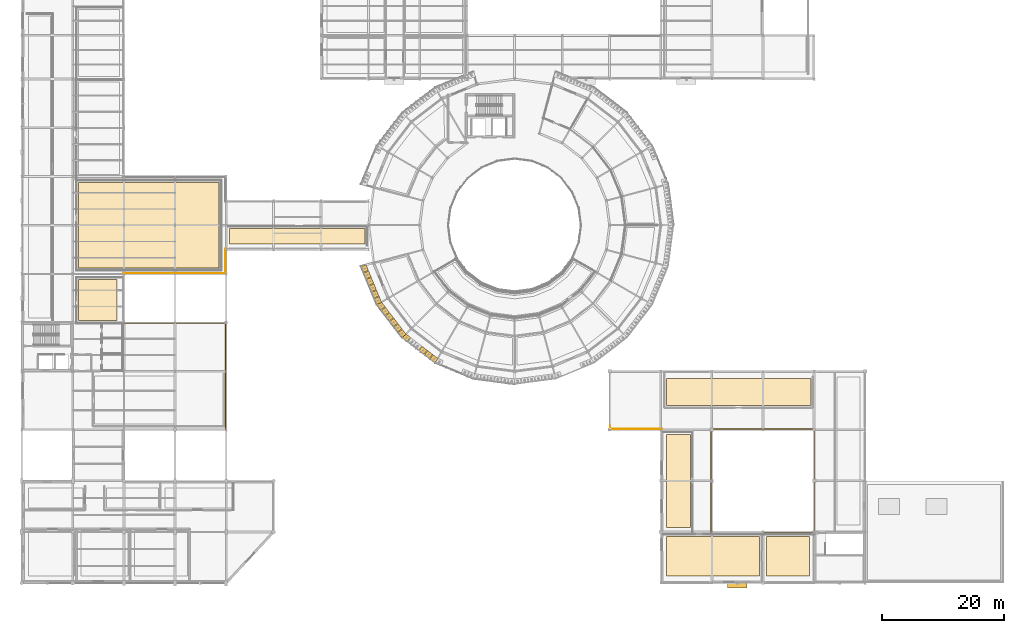
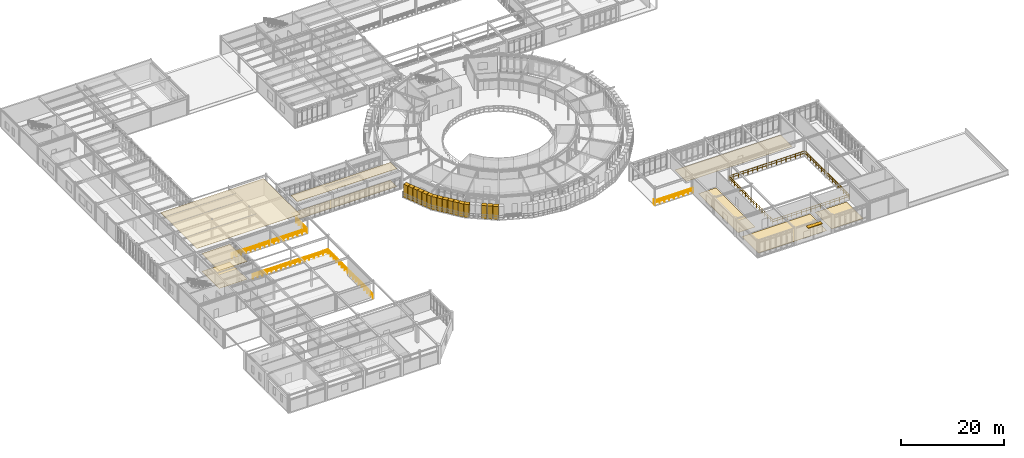
# One storey, part 97 of 106: 17 shading devices, 9 coverings, 5 railings.
"""IFC4 building model written with IfcOpenShell, lengths in metres."""

from ifc_helpers import new_model, si_unit, derived_unit, direction, frame, origin, origin_2d, place, context, subcontext, project, spatial, polyline, rectangle, circle, outline, extrude, material, layer, layer_set, type_object, element, save


model = new_model("IFC4")

# Units and contexts
model_context = context("Model", 3, precision=1e-05, world=origin(), true_north=direction((0.0, 1.0)))
body_context = subcontext(model_context, "Body", "Model", "MODEL_VIEW")
ifc_project = project(units=[si_unit("LENGTHUNIT", "METRE"), si_unit("AREAUNIT", "SQUARE_METRE"), si_unit("VOLUMEUNIT", "CUBIC_METRE"), si_unit("PLANEANGLEUNIT", "RADIAN"), si_unit("MASSUNIT", "GRAM", prefix="KILO"), derived_unit("THERMALTRANSMITTANCEUNIT", [(si_unit("POWERUNIT", "WATT"), 1), (si_unit("AREAUNIT", "SQUARE_METRE"), -1), (si_unit("THERMODYNAMICTEMPERATUREUNIT", "KELVIN"), -1)])], contexts=[model_context])

# Site, building, storey
site_placement = place(None, origin())
site = spatial("IfcSite", under=ifc_project, at=site_placement, CompositionType="ELEMENT")
building_placement = place(site_placement, origin())
building = spatial("IfcBuilding", under=site, at=building_placement, Name="Yasenodar Specialist Clinic", CompositionType="ELEMENT")
storey_placement = place(building_placement, frame((0.0, 0.0, 4.5)))
storey = spatial("IfcBuildingStorey", under=building, at=storey_placement, Name="L01", CompositionType="ELEMENT", Elevation=4.5)

# Coverings
ifc_material_1 = material(Name="Hygienic Acoustic Mineral-Fibre Ceiling")
ifc_layer_1 = layer(ifc_material_1, 0.02490234375)
ifc_layer_set_1 = layer_set([ifc_layer_1], Name="Hygienic Acoustic Mineral-Fibre Ceiling")
covering_type_1 = type_object("IfcCoveringType", Name="COV-CEIL-AC", PredefinedType="CEILING", material=ifc_layer_set_1)
covering_1_placement = place(storey_placement, frame((0.0, 0.0, 4.22509765625)))
element("IfcCovering", 1, at=covering_1_placement, inside=storey, type_object=covering_type_1, Name="L01 ECG Functional Diagnostics Room Acoustic Ceiling", PredefinedType="CEILING", context=body_context, shape_type="SweptSolid", body=[
    extrude(outline(polyline([(15.64990234375, 49.85009765625), (15.64990234375, 43.1298828125), (9.35009765625, 43.1298828125), (9.35009765625, 49.85009765625), (15.64990234375, 49.85009765625)])), origin(), (0.0, 0.0, 1.0), 0.02490234375),
])
covering_2_placement = place(storey_placement, frame((0.0, 0.0, 4.22509765625)))
element("IfcCovering", 2, at=covering_2_placement, inside=storey, type_object=covering_type_1, Name="L01 Light Bridge Waiting Lounge Acoustic Ceiling", PredefinedType="CEILING", context=body_context, shape_type="SweptSolid", body=[
    extrude(outline(polyline([(32.449951171875, 51.75), (9.35009765625, 51.75), (9.35009765625, 65.85009765625), (32.449951171875, 65.85009765625), (32.449951171875, 51.75)])), origin(), (0.0, 0.0, 1.0), 0.02490234375),
])
covering_3_placement = place(storey_placement, frame((0.0, 0.0, 4.22509765625)))
element("IfcCovering", 3, at=covering_3_placement, inside=storey, type_object=covering_type_1, Name="L01 Light Bridge Concourse Gallery Acoustic Ceiling", PredefinedType="CEILING", context=body_context, shape_type="SweptSolid", body=[
    extrude(outline(polyline([(56.449951171875, 55.75), (34.14990234375, 55.75), (34.14990234375, 58.25), (56.449951171875, 58.25), (56.449951171875, 55.75)])), origin(), (0.0, 0.0, 1.0), 0.02490234375),
])
ifc_material_2 = material(Name="Seamless Epoxy Terrazzo Clinical Flooring")
ifc_layer_2 = layer(ifc_material_2, 0.02001953125)
ifc_layer_set_2 = layer_set([ifc_layer_2], Name="Seamless Epoxy Terrazzo Clinical Flooring")
covering_type_2 = type_object("IfcCoveringType", Name="COV-FLR-TERR", PredefinedType="FLOORING", material=ifc_layer_set_2)
covering_4_placement = place(storey_placement, origin())
element("IfcCovering", 4, at=covering_4_placement, inside=storey, type_object=covering_type_2, Name="L01 Occupational Therapy Activities Suite Terrazzo Flooring", PredefinedType="FLOORING", context=body_context, shape_type="SweptSolid", body=[
    extrude(outline(polyline([(121.25, 1.14990234375), (105.949951171875, 1.14990234375), (105.949951171875, 7.64990234375), (121.25, 7.64990234375), (121.25, 1.14990234375)])), origin(), (0.0, 0.0, 1.0), 0.02001953125),
])
covering_5_placement = place(storey_placement, origin())
element("IfcCovering", 5, at=covering_5_placement, inside=storey, type_object=covering_type_2, Name="L01 Instrumented Gait and Motion Laboratory Terrazzo Flooring", PredefinedType="FLOORING", context=body_context, shape_type="SweptSolid", body=[
    extrude(outline(polyline([(129.449951171875, 1.14990234375), (122.35009765625, 1.14990234375), (122.35009765625, 7.64990234375), (129.449951171875, 7.64990234375), (129.449951171875, 1.14990234375)])), origin(), (0.0, 0.0, 1.0), 0.02001953125),
])
covering_6_placement = place(storey_placement, origin())
element("IfcCovering", 6, at=covering_6_placement, inside=storey, type_object=covering_type_2, Name="L01 Neurological Rehabilitation Studio Terrazzo Flooring", PredefinedType="FLOORING", context=body_context, shape_type="SweptSolid", body=[
    extrude(outline(polyline([(109.85009765625, 9.14990234375), (105.949951171875, 9.14990234375), (105.949951171875, 24.449951171875), (109.85009765625, 24.449951171875), (109.85009765625, 9.14990234375)])), origin(), (0.0, 0.0, 1.0), 0.02001953125),
])
covering_7_placement = place(storey_placement, origin())
element("IfcCovering", 7, at=covering_7_placement, inside=storey, type_object=covering_type_2, Name="L01 Speech and Swallowing Therapy Rooms Terrazzo Flooring", PredefinedType="FLOORING", context=body_context, shape_type="SweptSolid", body=[
    extrude(outline(polyline([(129.64990234375, 29.14990234375), (105.949951171875, 29.14990234375), (105.949951171875, 33.64990234375), (129.64990234375, 33.64990234375), (129.64990234375, 29.14990234375)])), origin(), (0.0, 0.0, 1.0), 0.02001953125),
])
covering_8_placement = place(storey_placement, origin())
element("IfcCovering", 8, at=covering_8_placement, inside=storey, type_object=covering_type_2, Name="L01 ECG Functional Diagnostics Room Terrazzo Flooring", PredefinedType="FLOORING", context=body_context, shape_type="SweptSolid", body=[
    extrude(outline(polyline([(15.64990234375, 49.85009765625), (15.64990234375, 43.1298828125), (9.35009765625, 43.1298828125), (9.35009765625, 49.85009765625), (15.64990234375, 49.85009765625)])), origin(), (0.0, 0.0, 1.0), 0.02001953125),
])
covering_9_placement = place(storey_placement, origin())
element("IfcCovering", 9, at=covering_9_placement, inside=storey, type_object=covering_type_2, Name="L01 Light Bridge Concourse Gallery Terrazzo Flooring", PredefinedType="FLOORING", context=body_context, shape_type="SweptSolid", body=[
    extrude(outline(polyline([(56.449951171875, 55.75), (34.14990234375, 55.75), (34.14990234375, 58.25), (56.449951171875, 58.25), (56.449951171875, 55.75)])), origin(), (0.0, 0.0, 1.0), 0.02001953125),
])

# Railings
ifc_material_3 = material(Name="Steel S355 Painted Guardrail", Category="steel")
railing_type_1 = type_object("IfcRailingType", Name="RL-GRD-1120", PredefinedType="GUARDRAIL", material=ifc_material_3)
railing_1_placement = place(storey_placement, frame((96.699951171875, 25.800048828125, 0.0)))
element("IfcRailing", 10, at=railing_1_placement, inside=storey, type_object=railing_type_1, Name="L01 V3 Link Gallery Edge Guardrail", PredefinedType="GUARDRAIL", context=body_context, shape_type="SweptSolid", body=[
    extrude(circle(Radius=0.02392578125, at=origin_2d()), frame((0.0, 0.0, 1.09619140625), z_axis=(0.0, -1.0, 0.0), x_axis=(1.0, 0.0, 0.0)), (0.0, 0.0, 1.0), 0.5),
    extrude(circle(Radius=0.02392578125, at=origin_2d()), frame((0.0, 0.0, 0.58251953125), z_axis=(0.0, -1.0, 0.0), x_axis=(1.0, 0.0, 0.0)), (0.0, 0.0, 1.0), 0.5),
    extrude(circle(Radius=0.02392578125, at=origin_2d()), frame((0.0, -0.5, 1.09619140625), z_axis=(1.0, 0.0, 0.0), x_axis=(0.0, 1.0, 0.0)), (0.0, 0.0, 1.0), 8.5),
    extrude(circle(Radius=0.02392578125, at=origin_2d()), frame((0.0, -0.5, 0.58251953125), z_axis=(1.0, 0.0, 0.0), x_axis=(0.0, 1.0, 0.0)), (0.0, 0.0, 1.0), 8.5),
    extrude(circle(Radius=0.02099609375, at=origin_2d()), origin(), (0.0, 0.0, 1.0), 1.072021484375),
    extrude(circle(Radius=0.02099609375, at=origin_2d()), frame((0.0, -0.5, 0.0)), (0.0, 0.0, 1.0), 1.072021484375),
    extrude(circle(Radius=0.02099609375, at=origin_2d()), frame((1.0625, -0.5, 0.0)), (0.0, 0.0, 1.0), 1.072021484375),
    extrude(circle(Radius=0.02099609375, at=origin_2d()), frame((2.125, -0.5, 0.0)), (0.0, 0.0, 1.0), 1.072021484375),
    extrude(circle(Radius=0.02099609375, at=origin_2d()), frame((3.1875, -0.5, 0.0)), (0.0, 0.0, 1.0), 1.072021484375),
    extrude(circle(Radius=0.02099609375, at=origin_2d()), frame((4.25, -0.5, 0.0)), (0.0, 0.0, 1.0), 1.072021484375),
    extrude(circle(Radius=0.02099609375, at=origin_2d()), frame((5.3125, -0.5, 0.0)), (0.0, 0.0, 1.0), 1.072021484375),
    extrude(circle(Radius=0.02099609375, at=origin_2d()), frame((6.375, -0.5, 0.0)), (0.0, 0.0, 1.0), 1.072021484375),
    extrude(circle(Radius=0.02099609375, at=origin_2d()), frame((7.4375, -0.5, 0.0)), (0.0, 0.0, 1.0), 1.072021484375),
    extrude(circle(Radius=0.02099609375, at=origin_2d()), frame((8.5, -0.5, 0.0)), (0.0, 0.0, 1.0), 1.072021484375),
])
railing_2_placement = place(storey_placement, frame((16.699951171875, 42.699951171875, 0.0)))
element("IfcRailing", 11, at=railing_2_placement, inside=storey, type_object=railing_type_1, Name="L01 V4 Light Court South Guardrail", PredefinedType="GUARDRAIL", context=body_context, shape_type="SweptSolid", body=[
    extrude(circle(Radius=0.02392578125, at=origin_2d()), frame((0.0, 0.0, 1.09619140625), z_axis=(1.0, 0.0, 0.0), x_axis=(0.0, 1.0, 0.0)), (0.0, 0.0, 1.0), 16.800048828125),
    extrude(circle(Radius=0.02392578125, at=origin_2d()), frame((0.0, 0.0, 0.58251953125), z_axis=(1.0, 0.0, 0.0), x_axis=(0.0, 1.0, 0.0)), (0.0, 0.0, 1.0), 16.800048828125),
    extrude(circle(Radius=0.02392578125, at=origin_2d()), frame((16.800048828125, 0.0, 1.09619140625), z_axis=(0.0, -1.0, 0.0), x_axis=(1.0, 0.0, 0.0)), (0.0, 0.0, 1.0), 17.39990234375),
    extrude(circle(Radius=0.02392578125, at=origin_2d()), frame((16.800048828125, 0.0, 0.58251953125), z_axis=(0.0, -1.0, 0.0), x_axis=(1.0, 0.0, 0.0)), (0.0, 0.0, 1.0), 17.39990234375),
    extrude(circle(Radius=0.02099609375, at=origin_2d()), origin(), (0.0, 0.0, 1.0), 1.072021484375),
    extrude(circle(Radius=0.02099609375, at=origin_2d()), frame((1.050048828125, 0.0, 0.0)), (0.0, 0.0, 1.0), 1.072021484375),
    extrude(circle(Radius=0.02099609375, at=origin_2d()), frame((2.10009765625, 0.0, 0.0)), (0.0, 0.0, 1.0), 1.072021484375),
    extrude(circle(Radius=0.02099609375, at=origin_2d()), frame((3.14990234375, 0.0, 0.0)), (0.0, 0.0, 1.0), 1.072021484375),
    extrude(circle(Radius=0.02099609375, at=origin_2d()), frame((4.199951171875, 0.0, 0.0)), (0.0, 0.0, 1.0), 1.072021484375),
    extrude(circle(Radius=0.02099609375, at=origin_2d()), frame((5.25, 0.0, 0.0)), (0.0, 0.0, 1.0), 1.072021484375),
    extrude(circle(Radius=0.02099609375, at=origin_2d()), frame((6.300048828125, 0.0, 0.0)), (0.0, 0.0, 1.0), 1.072021484375),
    extrude(circle(Radius=0.02099609375, at=origin_2d()), frame((7.35009765625, 0.0, 0.0)), (0.0, 0.0, 1.0), 1.072021484375),
    extrude(circle(Radius=0.02099609375, at=origin_2d()), frame((8.39990234375, 0.0, 0.0)), (0.0, 0.0, 1.0), 1.072021484375),
    extrude(circle(Radius=0.02099609375, at=origin_2d()), frame((9.449951171875, 0.0, 0.0)), (0.0, 0.0, 1.0), 1.072021484375),
    extrude(circle(Radius=0.02099609375, at=origin_2d()), frame((10.5, 0.0, 0.0)), (0.0, 0.0, 1.0), 1.072021484375),
    extrude(circle(Radius=0.02099609375, at=origin_2d()), frame((11.550048828125, 0.0, 0.0)), (0.0, 0.0, 1.0), 1.072021484375),
    extrude(circle(Radius=0.02099609375, at=origin_2d()), frame((12.60009765625, 0.0, 0.0)), (0.0, 0.0, 1.0), 1.072021484375),
    extrude(circle(Radius=0.02099609375, at=origin_2d()), frame((13.650146484375, 0.0, 0.0)), (0.0, 0.0, 1.0), 1.072021484375),
    extrude(circle(Radius=0.02099609375, at=origin_2d()), frame((14.699951171875, 0.0, 0.0)), (0.0, 0.0, 1.0), 1.072021484375),
    extrude(circle(Radius=0.02099609375, at=origin_2d()), frame((15.75, 0.0, 0.0)), (0.0, 0.0, 1.0), 1.072021484375),
    extrude(circle(Radius=0.02099609375, at=origin_2d()), frame((16.800048828125, 0.0, 0.0)), (0.0, 0.0, 1.0), 1.072021484375),
    extrude(circle(Radius=0.02099609375, at=origin_2d()), frame((16.800048828125, -1.08740234375, 0.0)), (0.0, 0.0, 1.0), 1.072021484375),
    extrude(circle(Radius=0.02099609375, at=origin_2d()), frame((16.800048828125, -2.175048828125, 0.0)), (0.0, 0.0, 1.0), 1.072021484375),
    extrude(circle(Radius=0.02099609375, at=origin_2d()), frame((16.800048828125, -3.262451171875, 0.0)), (0.0, 0.0, 1.0), 1.072021484375),
    extrude(circle(Radius=0.02099609375, at=origin_2d()), frame((16.800048828125, -4.35009765625, 0.0)), (0.0, 0.0, 1.0), 1.072021484375),
    extrude(circle(Radius=0.02099609375, at=origin_2d()), frame((16.800048828125, -5.4375, 0.0)), (0.0, 0.0, 1.0), 1.072021484375),
    extrude(circle(Radius=0.02099609375, at=origin_2d()), frame((16.800048828125, -6.52490234375, 0.0)), (0.0, 0.0, 1.0), 1.072021484375),
    extrude(circle(Radius=0.02099609375, at=origin_2d()), frame((16.800048828125, -7.612548828125, 0.0)), (0.0, 0.0, 1.0), 1.072021484375),
    extrude(circle(Radius=0.02099609375, at=origin_2d()), frame((16.800048828125, -8.699951171875, 0.0)), (0.0, 0.0, 1.0), 1.072021484375),
    extrude(circle(Radius=0.02099609375, at=origin_2d()), frame((16.800048828125, -9.787353515625, 0.0)), (0.0, 0.0, 1.0), 1.072021484375),
    extrude(circle(Radius=0.02099609375, at=origin_2d()), frame((16.800048828125, -10.875, 0.0)), (0.0, 0.0, 1.0), 1.072021484375),
    extrude(circle(Radius=0.02099609375, at=origin_2d()), frame((16.800048828125, -11.96240234375, 0.0)), (0.0, 0.0, 1.0), 1.072021484375),
    extrude(circle(Radius=0.02099609375, at=origin_2d()), frame((16.800048828125, -13.0498046875, 0.0)), (0.0, 0.0, 1.0), 1.072021484375),
    extrude(circle(Radius=0.02099609375, at=origin_2d()), frame((16.800048828125, -14.137451171875, 0.0)), (0.0, 0.0, 1.0), 1.072021484375),
    extrude(circle(Radius=0.02099609375, at=origin_2d()), frame((16.800048828125, -15.224853515625, 0.0)), (0.0, 0.0, 1.0), 1.072021484375),
    extrude(circle(Radius=0.02099609375, at=origin_2d()), frame((16.800048828125, -16.3125, 0.0)), (0.0, 0.0, 1.0), 1.072021484375),
    extrude(circle(Radius=0.02099609375, at=origin_2d()), frame((16.800048828125, -17.39990234375, 0.0)), (0.0, 0.0, 1.0), 1.072021484375),
])
railing_3_placement = place(storey_placement, frame((16.699951171875, 50.89990234375, 0.0)))
element("IfcRailing", 12, at=railing_3_placement, inside=storey, type_object=railing_type_1, Name="L01 V4 Forecourt Bridge South Guardrail", PredefinedType="GUARDRAIL", context=body_context, shape_type="SweptSolid", body=[
    extrude(circle(Radius=0.02392578125, at=origin_2d()), frame((0.0, 0.0, 1.09619140625), z_axis=(1.0, 0.0, 0.0), x_axis=(0.0, 1.0, 0.0)), (0.0, 0.0, 1.0), 16.800048828125),
    extrude(circle(Radius=0.02392578125, at=origin_2d()), frame((0.0, 0.0, 0.58251953125), z_axis=(1.0, 0.0, 0.0), x_axis=(0.0, 1.0, 0.0)), (0.0, 0.0, 1.0), 16.800048828125),
    extrude(circle(Radius=0.02392578125, at=origin_2d()), frame((16.800048828125, 0.0, 1.09619140625), z_axis=(0.0, 1.0, 0.0), x_axis=(-1.0, 0.0, 0.0)), (0.0, 0.0, 1.0), 4.050048828125),
    extrude(circle(Radius=0.02392578125, at=origin_2d()), frame((16.800048828125, 0.0, 0.58251953125), z_axis=(0.0, 1.0, 0.0), x_axis=(-1.0, 0.0, 0.0)), (0.0, 0.0, 1.0), 4.050048828125),
    extrude(circle(Radius=0.02099609375, at=origin_2d()), origin(), (0.0, 0.0, 1.0), 1.072021484375),
    extrude(circle(Radius=0.02099609375, at=origin_2d()), frame((1.050048828125, 0.0, 0.0)), (0.0, 0.0, 1.0), 1.072021484375),
    extrude(circle(Radius=0.02099609375, at=origin_2d()), frame((2.10009765625, 0.0, 0.0)), (0.0, 0.0, 1.0), 1.072021484375),
    extrude(circle(Radius=0.02099609375, at=origin_2d()), frame((3.14990234375, 0.0, 0.0)), (0.0, 0.0, 1.0), 1.072021484375),
    extrude(circle(Radius=0.02099609375, at=origin_2d()), frame((4.199951171875, 0.0, 0.0)), (0.0, 0.0, 1.0), 1.072021484375),
    extrude(circle(Radius=0.02099609375, at=origin_2d()), frame((5.25, 0.0, 0.0)), (0.0, 0.0, 1.0), 1.072021484375),
    extrude(circle(Radius=0.02099609375, at=origin_2d()), frame((6.300048828125, 0.0, 0.0)), (0.0, 0.0, 1.0), 1.072021484375),
    extrude(circle(Radius=0.02099609375, at=origin_2d()), frame((7.35009765625, 0.0, 0.0)), (0.0, 0.0, 1.0), 1.072021484375),
    extrude(circle(Radius=0.02099609375, at=origin_2d()), frame((8.39990234375, 0.0, 0.0)), (0.0, 0.0, 1.0), 1.072021484375),
    extrude(circle(Radius=0.02099609375, at=origin_2d()), frame((9.449951171875, 0.0, 0.0)), (0.0, 0.0, 1.0), 1.072021484375),
    extrude(circle(Radius=0.02099609375, at=origin_2d()), frame((10.5, 0.0, 0.0)), (0.0, 0.0, 1.0), 1.072021484375),
    extrude(circle(Radius=0.02099609375, at=origin_2d()), frame((11.550048828125, 0.0, 0.0)), (0.0, 0.0, 1.0), 1.072021484375),
    extrude(circle(Radius=0.02099609375, at=origin_2d()), frame((12.60009765625, 0.0, 0.0)), (0.0, 0.0, 1.0), 1.072021484375),
    extrude(circle(Radius=0.02099609375, at=origin_2d()), frame((13.650146484375, 0.0, 0.0)), (0.0, 0.0, 1.0), 1.072021484375),
    extrude(circle(Radius=0.02099609375, at=origin_2d()), frame((14.699951171875, 0.0, 0.0)), (0.0, 0.0, 1.0), 1.072021484375),
    extrude(circle(Radius=0.02099609375, at=origin_2d()), frame((15.75, 0.0, 0.0)), (0.0, 0.0, 1.0), 1.072021484375),
    extrude(circle(Radius=0.02099609375, at=origin_2d()), frame((16.800048828125, 0.0, 0.0)), (0.0, 0.0, 1.0), 1.072021484375),
    extrude(circle(Radius=0.02099609375, at=origin_2d()), frame((16.800048828125, 1.012451171875, 0.0)), (0.0, 0.0, 1.0), 1.072021484375),
    extrude(circle(Radius=0.02099609375, at=origin_2d()), frame((16.800048828125, 2.02490234375, 0.0)), (0.0, 0.0, 1.0), 1.072021484375),
    extrude(circle(Radius=0.02099609375, at=origin_2d()), frame((16.800048828125, 3.03759765625, 0.0)), (0.0, 0.0, 1.0), 1.072021484375),
    extrude(circle(Radius=0.02099609375, at=origin_2d()), frame((16.800048828125, 4.050048828125, 0.0)), (0.0, 0.0, 1.0), 1.072021484375),
])
ifc_material_4 = material(Name="Steel S355 Painted Stair Guardrail", Category="steel")
railing_type_2 = type_object("IfcRailingType", Name="RL-ST-GRD", PredefinedType="GUARDRAIL", material=ifc_material_4)
railing_4_placement = place(storey_placement, frame((113.280029296875, 8.280029296875, 0.0)))
element("IfcRailing", 13, at=railing_4_placement, inside=storey, type_object=railing_type_2, Name="L01 V3 Conservatory Void South-East Guardrail", PredefinedType="GUARDRAIL", context=body_context, shape_type="SweptSolid", body=[
    extrude(circle(Radius=0.02392578125, at=origin_2d()), frame((0.0, 0.0, 1.09619140625), z_axis=(1.0, 0.0, 0.0), x_axis=(0.0, 1.0, 0.0)), (0.0, 0.0, 1.0), 17.0400390625),
    extrude(circle(Radius=0.02392578125, at=origin_2d()), frame((0.0, 0.0, 0.58251953125), z_axis=(1.0, 0.0, 0.0), x_axis=(0.0, 1.0, 0.0)), (0.0, 0.0, 1.0), 17.0400390625),
    extrude(circle(Radius=0.02392578125, at=origin_2d()), frame((17.0400390625, 0.0, 1.09619140625), z_axis=(0.0, 1.0, 0.0), x_axis=(-1.0, 0.0, 0.0)), (0.0, 0.0, 1.0), 17.0400390625),
    extrude(circle(Radius=0.02392578125, at=origin_2d()), frame((17.0400390625, 0.0, 0.58251953125), z_axis=(0.0, 1.0, 0.0), x_axis=(-1.0, 0.0, 0.0)), (0.0, 0.0, 1.0), 17.0400390625),
    extrude(circle(Radius=0.02099609375, at=origin_2d()), origin(), (0.0, 0.0, 1.0), 1.072021484375),
    extrude(circle(Radius=0.02099609375, at=origin_2d()), frame((1.06494140625, 0.0, 0.0)), (0.0, 0.0, 1.0), 1.072021484375),
    extrude(circle(Radius=0.02099609375, at=origin_2d()), frame((2.1298828125, 0.0, 0.0)), (0.0, 0.0, 1.0), 1.072021484375),
    extrude(circle(Radius=0.02099609375, at=origin_2d()), frame((3.195068359375, 0.0, 0.0)), (0.0, 0.0, 1.0), 1.072021484375),
    extrude(circle(Radius=0.02099609375, at=origin_2d()), frame((4.260009765625, 0.0, 0.0)), (0.0, 0.0, 1.0), 1.072021484375),
    extrude(circle(Radius=0.02099609375, at=origin_2d()), frame((5.324951171875, 0.0, 0.0)), (0.0, 0.0, 1.0), 1.072021484375),
    extrude(circle(Radius=0.02099609375, at=origin_2d()), frame((6.39013671875, 0.0, 0.0)), (0.0, 0.0, 1.0), 1.072021484375),
    extrude(circle(Radius=0.02099609375, at=origin_2d()), frame((7.455078125, 0.0, 0.0)), (0.0, 0.0, 1.0), 1.072021484375),
    extrude(circle(Radius=0.02099609375, at=origin_2d()), frame((8.52001953125, 0.0, 0.0)), (0.0, 0.0, 1.0), 1.072021484375),
    extrude(circle(Radius=0.02099609375, at=origin_2d()), frame((9.5849609375, 0.0, 0.0)), (0.0, 0.0, 1.0), 1.072021484375),
    extrude(circle(Radius=0.02099609375, at=origin_2d()), frame((10.64990234375, 0.0, 0.0)), (0.0, 0.0, 1.0), 1.072021484375),
    extrude(circle(Radius=0.02099609375, at=origin_2d()), frame((11.715087890625, 0.0, 0.0)), (0.0, 0.0, 1.0), 1.072021484375),
    extrude(circle(Radius=0.02099609375, at=origin_2d()), frame((12.780029296875, 0.0, 0.0)), (0.0, 0.0, 1.0), 1.072021484375),
    extrude(circle(Radius=0.02099609375, at=origin_2d()), frame((13.844970703125, 0.0, 0.0)), (0.0, 0.0, 1.0), 1.072021484375),
    extrude(circle(Radius=0.02099609375, at=origin_2d()), frame((14.91015625, 0.0, 0.0)), (0.0, 0.0, 1.0), 1.072021484375),
    extrude(circle(Radius=0.02099609375, at=origin_2d()), frame((15.97509765625, 0.0, 0.0)), (0.0, 0.0, 1.0), 1.072021484375),
    extrude(circle(Radius=0.02099609375, at=origin_2d()), frame((17.0400390625, 0.0, 0.0)), (0.0, 0.0, 1.0), 1.072021484375),
    extrude(circle(Radius=0.02099609375, at=origin_2d()), frame((17.0400390625, 1.06494140625, 0.0)), (0.0, 0.0, 1.0), 1.072021484375),
    extrude(circle(Radius=0.02099609375, at=origin_2d()), frame((17.0400390625, 2.1298828125, 0.0)), (0.0, 0.0, 1.0), 1.072021484375),
    extrude(circle(Radius=0.02099609375, at=origin_2d()), frame((17.0400390625, 3.195068359375, 0.0)), (0.0, 0.0, 1.0), 1.072021484375),
    extrude(circle(Radius=0.02099609375, at=origin_2d()), frame((17.0400390625, 4.260009765625, 0.0)), (0.0, 0.0, 1.0), 1.072021484375),
    extrude(circle(Radius=0.02099609375, at=origin_2d()), frame((17.0400390625, 5.324951171875, 0.0)), (0.0, 0.0, 1.0), 1.072021484375),
    extrude(circle(Radius=0.02099609375, at=origin_2d()), frame((17.0400390625, 6.39013671875, 0.0)), (0.0, 0.0, 1.0), 1.072021484375),
    extrude(circle(Radius=0.02099609375, at=origin_2d()), frame((17.0400390625, 7.455078125, 0.0)), (0.0, 0.0, 1.0), 1.072021484375),
    extrude(circle(Radius=0.02099609375, at=origin_2d()), frame((17.0400390625, 8.52001953125, 0.0)), (0.0, 0.0, 1.0), 1.072021484375),
    extrude(circle(Radius=0.02099609375, at=origin_2d()), frame((17.0400390625, 9.5849609375, 0.0)), (0.0, 0.0, 1.0), 1.072021484375),
    extrude(circle(Radius=0.02099609375, at=origin_2d()), frame((17.0400390625, 10.64990234375, 0.0)), (0.0, 0.0, 1.0), 1.072021484375),
    extrude(circle(Radius=0.02099609375, at=origin_2d()), frame((17.0400390625, 11.715087890625, 0.0)), (0.0, 0.0, 1.0), 1.072021484375),
    extrude(circle(Radius=0.02099609375, at=origin_2d()), frame((17.0400390625, 12.780029296875, 0.0)), (0.0, 0.0, 1.0), 1.072021484375),
    extrude(circle(Radius=0.02099609375, at=origin_2d()), frame((17.0400390625, 13.844970703125, 0.0)), (0.0, 0.0, 1.0), 1.072021484375),
    extrude(circle(Radius=0.02099609375, at=origin_2d()), frame((17.0400390625, 14.91015625, 0.0)), (0.0, 0.0, 1.0), 1.072021484375),
    extrude(circle(Radius=0.02099609375, at=origin_2d()), frame((17.0400390625, 15.97509765625, 0.0)), (0.0, 0.0, 1.0), 1.072021484375),
    extrude(circle(Radius=0.02099609375, at=origin_2d()), frame((17.0400390625, 17.0400390625, 0.0)), (0.0, 0.0, 1.0), 1.072021484375),
])
railing_5_placement = place(storey_placement, frame((130.320068359375, 25.320068359375, 0.0)))
element("IfcRailing", 14, at=railing_5_placement, inside=storey, type_object=railing_type_2, Name="L01 V3 Conservatory Void North-West Guardrail", PredefinedType="GUARDRAIL", context=body_context, shape_type="SweptSolid", body=[
    extrude(circle(Radius=0.02392578125, at=origin_2d()), frame((0.0, 0.0, 1.09619140625), z_axis=(-1.0, 0.0, 0.0), x_axis=(0.0, -1.0, 0.0)), (0.0, 0.0, 1.0), 17.0400390625),
    extrude(circle(Radius=0.02392578125, at=origin_2d()), frame((0.0, 0.0, 0.58251953125), z_axis=(-1.0, 0.0, 0.0), x_axis=(0.0, -1.0, 0.0)), (0.0, 0.0, 1.0), 17.0400390625),
    extrude(circle(Radius=0.02392578125, at=origin_2d()), frame((-17.0400390625, 0.0, 1.09619140625), z_axis=(0.0, -1.0, 0.0), x_axis=(1.0, 0.0, 0.0)), (0.0, 0.0, 1.0), 17.0400390625),
    extrude(circle(Radius=0.02392578125, at=origin_2d()), frame((-17.0400390625, 0.0, 0.58251953125), z_axis=(0.0, -1.0, 0.0), x_axis=(1.0, 0.0, 0.0)), (0.0, 0.0, 1.0), 17.0400390625),
    extrude(circle(Radius=0.02099609375, at=origin_2d()), origin(), (0.0, 0.0, 1.0), 1.072021484375),
    extrude(circle(Radius=0.02099609375, at=origin_2d()), frame((-1.06494140625, 0.0, 0.0)), (0.0, 0.0, 1.0), 1.072021484375),
    extrude(circle(Radius=0.02099609375, at=origin_2d()), frame((-2.1298828125, 0.0, 0.0)), (0.0, 0.0, 1.0), 1.072021484375),
    extrude(circle(Radius=0.02099609375, at=origin_2d()), frame((-3.195068359375, 0.0, 0.0)), (0.0, 0.0, 1.0), 1.072021484375),
    extrude(circle(Radius=0.02099609375, at=origin_2d()), frame((-4.260009765625, 0.0, 0.0)), (0.0, 0.0, 1.0), 1.072021484375),
    extrude(circle(Radius=0.02099609375, at=origin_2d()), frame((-5.324951171875, 0.0, 0.0)), (0.0, 0.0, 1.0), 1.072021484375),
    extrude(circle(Radius=0.02099609375, at=origin_2d()), frame((-6.39013671875, 0.0, 0.0)), (0.0, 0.0, 1.0), 1.072021484375),
    extrude(circle(Radius=0.02099609375, at=origin_2d()), frame((-7.455078125, 0.0, 0.0)), (0.0, 0.0, 1.0), 1.072021484375),
    extrude(circle(Radius=0.02099609375, at=origin_2d()), frame((-8.52001953125, 0.0, 0.0)), (0.0, 0.0, 1.0), 1.072021484375),
    extrude(circle(Radius=0.02099609375, at=origin_2d()), frame((-9.5849609375, 0.0, 0.0)), (0.0, 0.0, 1.0), 1.072021484375),
    extrude(circle(Radius=0.02099609375, at=origin_2d()), frame((-10.64990234375, 0.0, 0.0)), (0.0, 0.0, 1.0), 1.072021484375),
    extrude(circle(Radius=0.02099609375, at=origin_2d()), frame((-11.715087890625, 0.0, 0.0)), (0.0, 0.0, 1.0), 1.072021484375),
    extrude(circle(Radius=0.02099609375, at=origin_2d()), frame((-12.780029296875, 0.0, 0.0)), (0.0, 0.0, 1.0), 1.072021484375),
    extrude(circle(Radius=0.02099609375, at=origin_2d()), frame((-13.844970703125, 0.0, 0.0)), (0.0, 0.0, 1.0), 1.072021484375),
    extrude(circle(Radius=0.02099609375, at=origin_2d()), frame((-14.91015625, 0.0, 0.0)), (0.0, 0.0, 1.0), 1.072021484375),
    extrude(circle(Radius=0.02099609375, at=origin_2d()), frame((-15.97509765625, 0.0, 0.0)), (0.0, 0.0, 1.0), 1.072021484375),
    extrude(circle(Radius=0.02099609375, at=origin_2d()), frame((-17.0400390625, 0.0, 0.0)), (0.0, 0.0, 1.0), 1.072021484375),
    extrude(circle(Radius=0.02099609375, at=origin_2d()), frame((-17.0400390625, -1.06494140625, 0.0)), (0.0, 0.0, 1.0), 1.072021484375),
    extrude(circle(Radius=0.02099609375, at=origin_2d()), frame((-17.0400390625, -2.1298828125, 0.0)), (0.0, 0.0, 1.0), 1.072021484375),
    extrude(circle(Radius=0.02099609375, at=origin_2d()), frame((-17.0400390625, -3.195068359375, 0.0)), (0.0, 0.0, 1.0), 1.072021484375),
    extrude(circle(Radius=0.02099609375, at=origin_2d()), frame((-17.0400390625, -4.260009765625, 0.0)), (0.0, 0.0, 1.0), 1.072021484375),
    extrude(circle(Radius=0.02099609375, at=origin_2d()), frame((-17.0400390625, -5.324951171875, 0.0)), (0.0, 0.0, 1.0), 1.072021484375),
    extrude(circle(Radius=0.02099609375, at=origin_2d()), frame((-17.0400390625, -6.39013671875, 0.0)), (0.0, 0.0, 1.0), 1.072021484375),
    extrude(circle(Radius=0.02099609375, at=origin_2d()), frame((-17.0400390625, -7.455078125, 0.0)), (0.0, 0.0, 1.0), 1.072021484375),
    extrude(circle(Radius=0.02099609375, at=origin_2d()), frame((-17.0400390625, -8.52001953125, 0.0)), (0.0, 0.0, 1.0), 1.072021484375),
    extrude(circle(Radius=0.02099609375, at=origin_2d()), frame((-17.0400390625, -9.5849609375, 0.0)), (0.0, 0.0, 1.0), 1.072021484375),
    extrude(circle(Radius=0.02099609375, at=origin_2d()), frame((-17.0400390625, -10.64990234375, 0.0)), (0.0, 0.0, 1.0), 1.072021484375),
    extrude(circle(Radius=0.02099609375, at=origin_2d()), frame((-17.0400390625, -11.715087890625, 0.0)), (0.0, 0.0, 1.0), 1.072021484375),
    extrude(circle(Radius=0.02099609375, at=origin_2d()), frame((-17.0400390625, -12.780029296875, 0.0)), (0.0, 0.0, 1.0), 1.072021484375),
    extrude(circle(Radius=0.02099609375, at=origin_2d()), frame((-17.0400390625, -13.844970703125, 0.0)), (0.0, 0.0, 1.0), 1.072021484375),
    extrude(circle(Radius=0.02099609375, at=origin_2d()), frame((-17.0400390625, -14.91015625, 0.0)), (0.0, 0.0, 1.0), 1.072021484375),
    extrude(circle(Radius=0.02099609375, at=origin_2d()), frame((-17.0400390625, -15.97509765625, 0.0)), (0.0, 0.0, 1.0), 1.072021484375),
    extrude(circle(Radius=0.02099609375, at=origin_2d()), frame((-17.0400390625, -17.0400390625, 0.0)), (0.0, 0.0, 1.0), 1.072021484375),
])

# Shading devices
ifc_material_5 = material(Name="Bronze Anodized Aluminium Chhajja Sunshade", Category="aluminium")
shading_device_type_1 = type_object("IfcShadingDeviceType", Name="SHD-CHHAJJA-850", PredefinedType="JALOUSIE", material=ifc_material_5)
shading_device_placement = place(storey_placement, frame((117.60009765625, -0.389892578125, 3.5078125), z_axis=(0.0, 0.0, 1.0), x_axis=(-1.0, 0.0, 0.0)))
element("IfcShadingDevice", 15, at=shading_device_placement, inside=storey, type_object=shading_device_type_1, Name="L01 Chhajja Solar Overhang 448", PredefinedType="JALOUSIE", context=body_context, shape_type="SweptSolid", body=[
    extrude(rectangle(XDim=3.199951171875, YDim=0.85009765625, at=origin_2d()), origin(), (0.0, 0.0, 1.0), 0.139892578125),
])
ifc_material_6 = material(Name="Thermally Modified Larch and Bronze Girih Jali Shutter")
shading_device_type_2 = type_object("IfcShadingDeviceType", Name="SHD-JALI-850", PredefinedType="SHUTTER", material=ifc_material_6)
for number, where, z_axis, x_axis, name in (
    (16, (56.372802734375, 51.68359375, -0.005126953125), (0.0, 0.0, 1.0), (0.382686667195, -0.923878192594, 0.0), "L01 Mughal Girih Jali Sliding Shutter Frame 0049"),
    (17, (56.80908203125, 50.630615234375, -0.005126953125), (0.0, 0.0, 1.0), (0.382686667195, -0.923878192594, 0.0), "L01 Mughal Girih Jali Sliding Shutter Frame 0050"),
    (18, (57.2451171875, 49.577392578125, -0.005126953125), (0.0, 0.0, 1.0), (0.382686667195, -0.923878192594, 0.0), "L01 Mughal Girih Jali Sliding Shutter Frame 0051"),
    (19, (57.681396484375, 48.524169921875, -0.005126953125), (0.0, 0.0, 1.0), (0.382686667195, -0.923878192594, 0.0), "L01 Mughal Girih Jali Sliding Shutter Frame 0052"),
    (20, (58.11767578125, 47.47119140625, -0.005126953125), (0.0, 0.0, 1.0), (0.382686667195, -0.923878192594, 0.0), "L01 Mughal Girih Jali Sliding Shutter Frame 0053"),
    (21, (58.553955078125, 46.41796875, -0.005126953125), (0.0, 0.0, 1.0), (0.382686667195, -0.923878192594, 0.0), "L01 Mughal Girih Jali Sliding Shutter Frame 0054"),
    (22, (59.0537109375, 45.55224609375, -0.005126953125), (0.0, 0.0, 1.0), (0.608764217148, -0.793351200869, 0.0), "L01 Mughal Girih Jali Sliding Shutter Frame 0055"),
    (23, (59.747802734375, 44.647705078125, -0.005126953125), (0.0, 0.0, 1.0), (0.608764217148, -0.793351200869, 0.0), "L01 Mughal Girih Jali Sliding Shutter Frame 0056"),
    (24, (60.441650390625, 43.743408203125, -0.005126953125), (0.0, 0.0, 1.0), (0.608764217148, -0.793351200869, 0.0), "L01 Mughal Girih Jali Sliding Shutter Frame 0057"),
    (25, (61.135498046875, 42.839111328125, -0.005126953125), (0.0, 0.0, 1.0), (0.608764217148, -0.793351200869, 0.0), "L01 Mughal Girih Jali Sliding Shutter Frame 0058"),
    (26, (61.82958984375, 41.934814453125, -0.005126953125), (0.0, 0.0, 1.0), (0.608764217148, -0.793351200869, 0.0), "L01 Mughal Girih Jali Sliding Shutter Frame 0059"),
    (27, (62.5234375, 41.030517578125, -0.005126953125), (0.0, 0.0, 1.0), (0.608764217148, -0.793351200869, 0.0), "L01 Mughal Girih Jali Sliding Shutter Frame 0060"),
    (28, (63.23046875, 40.323486328125, -0.005126953125), (0.0, 0.0, 1.0), (0.793351200869, -0.608764217148, 0.0), "L01 Mughal Girih Jali Sliding Shutter Frame 0061"),
    (29, (65.943603515625, 38.24169921875, -0.005126953125), (0.0, 0.0, 1.0), (0.793351200869, -0.608764217148, 0.0), "L01 Mughal Girih Jali Sliding Shutter Frame 0064"),
    (30, (66.847900390625, 37.547607421875, -0.005126953125), (0.0, 0.0, 1.0), (0.793351200869, -0.608764217148, 0.0), "L01 Mughal Girih Jali Sliding Shutter Frame 0065"),
    (31, (67.752197265625, 36.853759765625, -0.005126953125), (0.0, 0.0, 1.0), (0.793351200869, -0.608764217148, 0.0), "L01 Mughal Girih Jali Sliding Shutter Frame 0066"),
):
    element("IfcShadingDevice", number, at=place(storey_placement, frame(where, z_axis=z_axis, x_axis=x_axis)), inside=storey, type_object=shading_device_type_2, Name=name, PredefinedType="SHUTTER", context=body_context, shape_type="SweptSolid", body=[
        extrude(rectangle(XDim=1.02001953125, YDim=0.85009765625, at=origin_2d()), origin(), (0.0, 0.0, 1.0), 3.10009765625),
    ])

save(model, "model.ifc")
